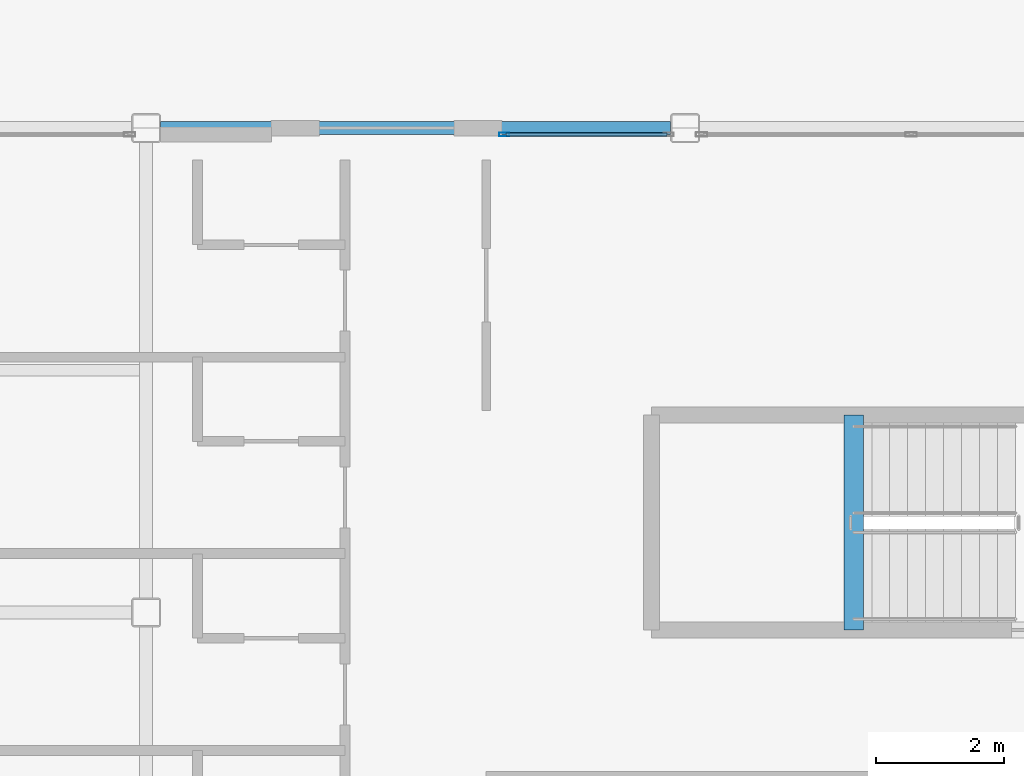
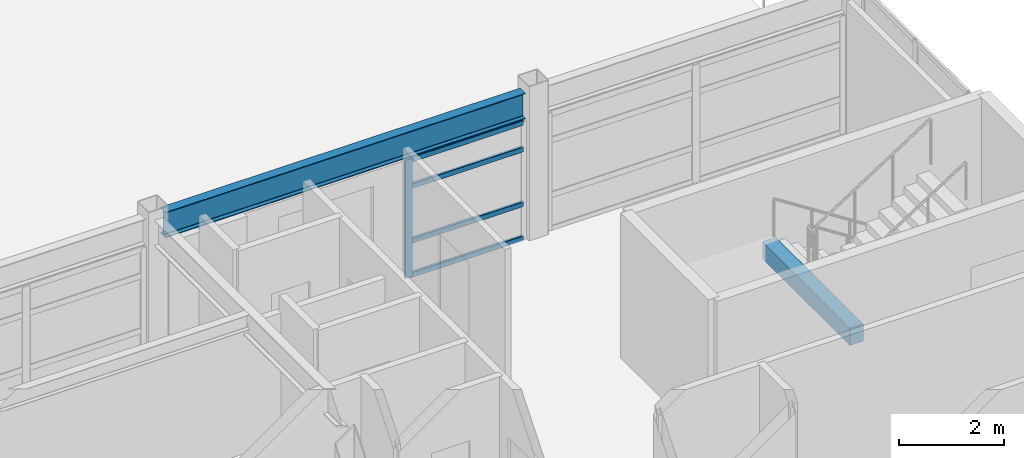
# One storey, part 16 of 28: 5 members, 2 beams, 1 element without a shape of its own.
"""IFC4 building model written with IfcOpenShell, lengths in metres."""

from ifc_helpers import new_model, si_unit, direction, frame, origin, origin_2d, place, context, subcontext, project, spatial, rectangle, hollow_rectangle, i_section, extrude, material, layer, layer_set, material_profile, profile_set, type_object, element, aggregate, save


model = new_model("IFC4")

# Units and contexts
model_context = context("Model", 3, precision=1e-05, world=origin(), true_north=direction((0.0, 1.0)))
body_context = subcontext(model_context, "Body", "Model", "MODEL_VIEW")
ifc_project = project(units=[si_unit("LENGTHUNIT", "METRE"), si_unit("AREAUNIT", "SQUARE_METRE"), si_unit("VOLUMEUNIT", "CUBIC_METRE"), si_unit("PLANEANGLEUNIT", "RADIAN"), si_unit("MASSUNIT", "GRAM", prefix="KILO")], contexts=[model_context])

# Site, building, storey
site_placement = place(None, origin())
site = spatial("IfcSite", under=ifc_project, at=site_placement, CompositionType="ELEMENT")
building_placement = place(site_placement, origin())
building = spatial("IfcBuilding", under=site, at=building_placement, Name="Kazehara Bluff Congress Hotel", CompositionType="ELEMENT")
storey_placement = place(building_placement, frame((0.0, 0.0, 42.60009765625)))
storey = spatial("IfcBuildingStorey", under=building, at=storey_placement, Name="L10", CompositionType="ELEMENT", Elevation=42.60009765625)

# Curtain wall, members
ifc_material_1 = material(Name="Anodised aluminium", Category="aluminium")
ifc_layer = layer(ifc_material_1, 0.159912109375)
ifc_layer_set = layer_set([ifc_layer], Name="Anodised aluminium")
curtain_wall_type = type_object("IfcCurtainWallType", Name="TP-CW-197", PredefinedType="NOTDEFINED", material=ifc_layer_set)
curtain_wall_placement = place(storey_placement, origin())
curtain_wall = element("IfcCurtainWall", 1, at=curtain_wall_placement, inside=storey, type_object=curtain_wall_type, Name="L10 curtain wall CW-197 CW-ENC-V5-L10-15896-8080", PredefinedType="NOTDEFINED")
ifc_material_2 = material(Name="Anodised aluminium", Category="aluminium")
ifc_material_profile_1 = material_profile(ifc_material_2, hollow_rectangle(XDim=0.06005859375, YDim=0.159912109375, WallThickness=0.00390625, InnerFilletRadius=0.00390625, OuterFilletRadius=0.008056640625, at=origin_2d()))
ifc_profile_set_1 = profile_set([ifc_material_profile_1], Name="Anodised aluminium")
member_type_1 = type_object("IfcMemberType", Name="TP-CWM-01", PredefinedType="MULLION", material=ifc_profile_set_1)
member_1_placement = place(storey_placement, frame((157.679931640625, 80.800048828125, 0.0), z_axis=(0.0, 0.0, 1.0), x_axis=(0.0, 1.0, 0.0)))
member_1 = element("IfcMember", 2, at=member_1_placement, type_object=member_type_1, Name="CW-197 mullion 1", PredefinedType="MULLION", context=body_context, shape_type="SweptSolid", body=[
    extrude(hollow_rectangle(XDim=0.06005859375, YDim=0.159912109375, WallThickness=0.00390625, InnerFilletRadius=0.00390625, OuterFilletRadius=0.008056640625, at=origin_2d()), origin(), (0.0, 0.0, 1.0), 2.7548828125),
])
ifc_material_3 = material(Name="Anodised aluminium", Category="aluminium")
ifc_material_profile_2 = material_profile(ifc_material_3, hollow_rectangle(XDim=0.06005859375, YDim=0.1201171875, WallThickness=0.00390625, InnerFilletRadius=0.00390625, OuterFilletRadius=0.008056640625, at=origin_2d()))
ifc_profile_set_2 = profile_set([ifc_material_profile_2], Name="Anodised aluminium")
member_type_2 = type_object("IfcMemberType", Name="TP-CWT-01", PredefinedType="USERDEFINED", material=ifc_profile_set_2)
member_2_placement = place(storey_placement, frame((157.7099609375, 80.800048828125, 0.02978515625), z_axis=(1.0, 0.0, 0.0), x_axis=(0.0, 1.0, 0.0)))
member_2 = element("IfcMember", 3, at=member_2_placement, type_object=member_type_2, Name="CW-197 transom 1.1", ObjectType="TRANSOM", PredefinedType="USERDEFINED", context=body_context, shape_type="SweptSolid", body=[
    extrude(hollow_rectangle(XDim=0.06005859375, YDim=0.1201171875, WallThickness=0.00390625, InnerFilletRadius=0.00390625, OuterFilletRadius=0.008056640625, at=origin_2d()), origin(), (0.0, 0.0, 1.0), 2.505126953125),
])
member_3_placement = place(storey_placement, frame((157.7099609375, 80.800048828125, 0.824951171875), z_axis=(1.0, 0.0, 0.0), x_axis=(0.0, 1.0, 0.0)))
member_3 = element("IfcMember", 4, at=member_3_placement, type_object=member_type_2, Name="CW-197 transom 1.2", ObjectType="TRANSOM", PredefinedType="USERDEFINED", context=body_context, shape_type="SweptSolid", body=[
    extrude(hollow_rectangle(XDim=0.06005859375, YDim=0.1201171875, WallThickness=0.00390625, InnerFilletRadius=0.00390625, OuterFilletRadius=0.008056640625, at=origin_2d()), origin(), (0.0, 0.0, 1.0), 2.505126953125),
])
member_4_placement = place(storey_placement, frame((157.7099609375, 80.800048828125, 2.10498046875), z_axis=(1.0, 0.0, 0.0), x_axis=(0.0, 1.0, 0.0)))
member_4 = element("IfcMember", 5, at=member_4_placement, type_object=member_type_2, Name="CW-197 transom 1.3", ObjectType="TRANSOM", PredefinedType="USERDEFINED", context=body_context, shape_type="SweptSolid", body=[
    extrude(hollow_rectangle(XDim=0.06005859375, YDim=0.1201171875, WallThickness=0.00390625, InnerFilletRadius=0.00390625, OuterFilletRadius=0.008056640625, at=origin_2d()), origin(), (0.0, 0.0, 1.0), 2.505126953125),
])
member_5_placement = place(storey_placement, frame((157.7099609375, 80.800048828125, 2.724853515625), z_axis=(1.0, 0.0, 0.0), x_axis=(0.0, 1.0, 0.0)))
member_5 = element("IfcMember", 6, at=member_5_placement, type_object=member_type_2, Name="CW-197 transom 1.4", ObjectType="TRANSOM", PredefinedType="USERDEFINED", context=body_context, shape_type="SweptSolid", body=[
    extrude(hollow_rectangle(XDim=0.06005859375, YDim=0.1201171875, WallThickness=0.00390625, InnerFilletRadius=0.00390625, OuterFilletRadius=0.008056640625, at=origin_2d()), origin(), (0.0, 0.0, 1.0), 2.505126953125),
])
aggregate(curtain_wall, [member_1, member_2, member_3, member_4, member_5])

# Beams
ifc_material_4 = material(Name="Concrete C40/50", Category="concrete")
ifc_material_profile_3 = material_profile(ifc_material_4, rectangle(XDim=0.300048828125, YDim=0.39990234375, at=origin_2d()))
ifc_profile_set_3 = profile_set([ifc_material_profile_3], Name="Concrete C40/50")
beam_type_1 = type_object("IfcBeamType", Name="TP-LN-02", PredefinedType="LINTEL", material=ifc_profile_set_3)
beam_1_placement = place(storey_placement, frame((163.1298828125, 76.425048828125, 1.419921875), z_axis=(0.0, -1.0, 0.0), x_axis=(1.0, 0.0, 0.0)))
element("IfcBeam", 7, at=beam_1_placement, inside=storey, type_object=beam_type_1, Name="L10 ST-12 half-landing support beam 1", PredefinedType="LINTEL", context=body_context, shape_type="SweptSolid", body=[
    extrude(rectangle(XDim=0.300048828125, YDim=0.39990234375, at=origin_2d()), origin(), (0.0, 0.0, 1.0), 3.35009765625),
])
ifc_material_5 = material(Name="Steel SN490B", Category="steel")
ifc_material_profile_4 = material_profile(ifc_material_5, i_section(OverallWidth=0.199951171875, OverallDepth=0.60009765625, WebThickness=0.010986328125, FlangeThickness=0.01708984375, FilletRadius=0.012939453125, at=origin_2d()))
ifc_profile_set_4 = profile_set([ifc_material_profile_4], Name="Steel SN490B")
beam_type_2 = type_object("IfcBeamType", Name="TP-SP-02", PredefinedType="SPANDREL", material=ifc_profile_set_4)
beam_2_placement = place(storey_placement, frame((152.324951171875, 80.89990234375, 3.079833984375), z_axis=(1.0, 0.0, 0.0), x_axis=(0.0, 1.0, 0.0)))
element("IfcBeam", 8, at=beam_2_placement, inside=storey, type_object=beam_type_2, Name="L10 girder SP-02 46", PredefinedType="SPANDREL", context=body_context, shape_type="SweptSolid", body=[
    extrude(i_section(OverallWidth=0.199951171875, OverallDepth=0.60009765625, WebThickness=0.010986328125, FlangeThickness=0.01708984375, FilletRadius=0.012939453125, at=origin_2d()), origin(), (0.0, 0.0, 1.0), 7.949951171875),
])

save(model, "model.ifc")
